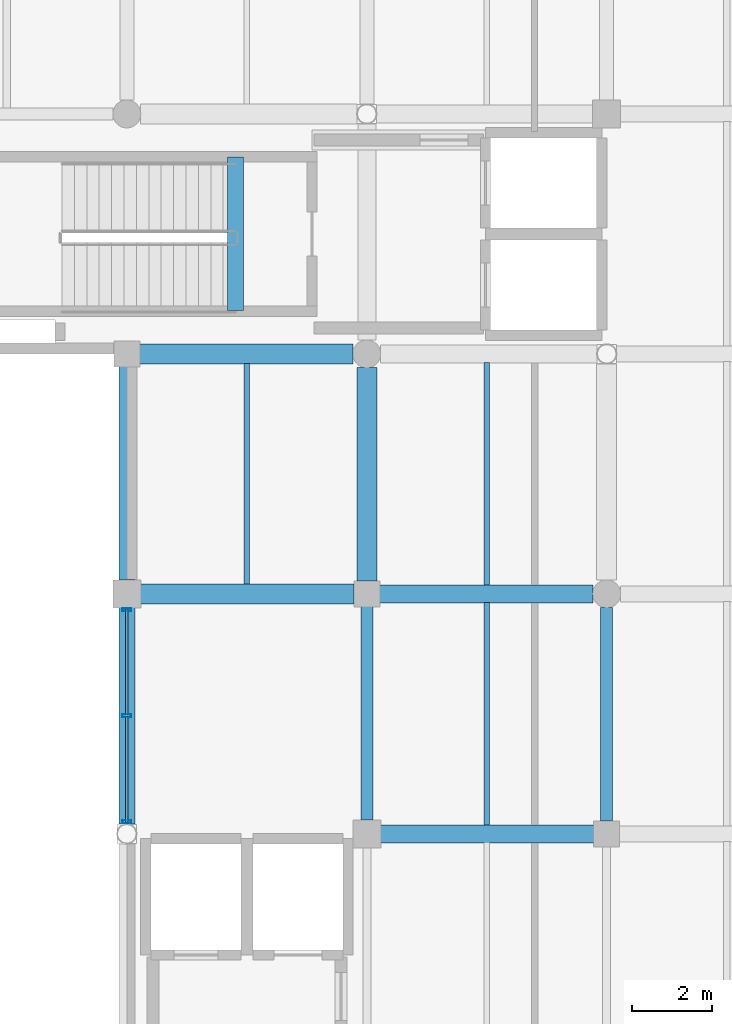
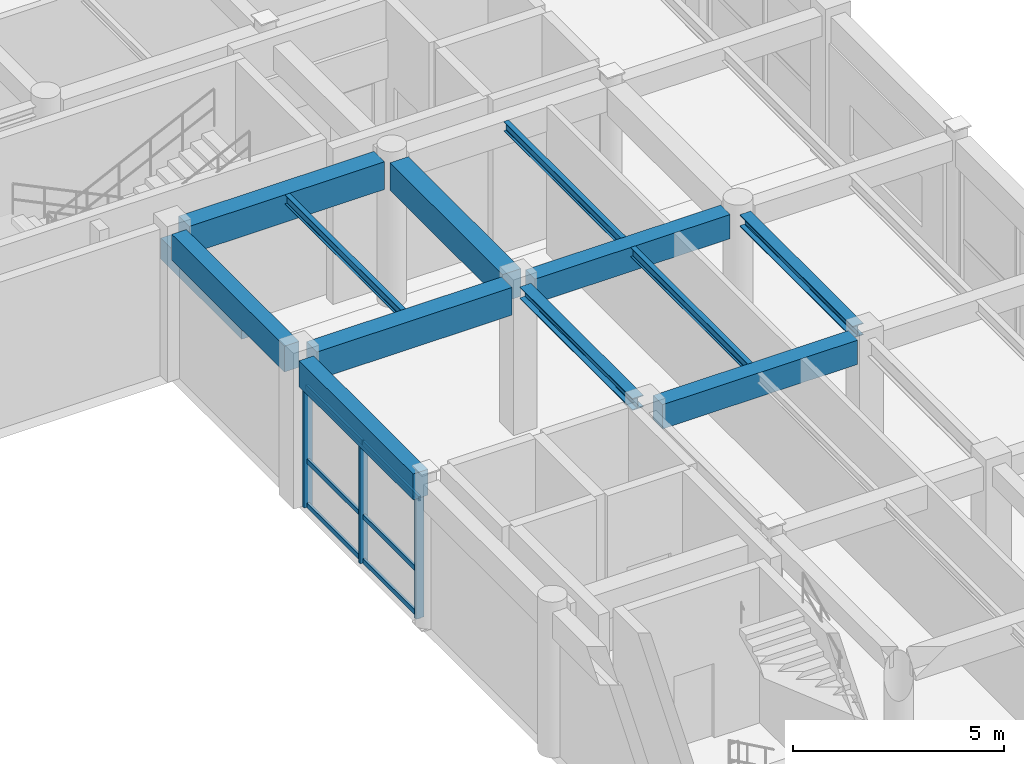
# One storey, part 71 of 116: 13 beams, 9 members, 1 element without a shape of its own.
"""IFC4 building model written with IfcOpenShell, lengths in metres."""

from ifc_helpers import new_model, si_unit, direction, frame, origin, origin_2d, place, context, subcontext, project, spatial, rectangle, hollow_rectangle, i_section, extrude, material, material_profile, profile_set, type_object, element, aggregate, save


model = new_model("IFC4")

# Units and contexts
model_context = context("Model", 3, precision=1e-05, world=origin(), true_north=direction((0.0, 1.0)))
body_context = subcontext(model_context, "Body", "Model", "MODEL_VIEW")
ifc_project = project(units=[si_unit("LENGTHUNIT", "METRE"), si_unit("AREAUNIT", "SQUARE_METRE"), si_unit("VOLUMEUNIT", "CUBIC_METRE"), si_unit("PLANEANGLEUNIT", "RADIAN"), si_unit("MASSUNIT", "GRAM", prefix="KILO"), si_unit("THERMODYNAMICTEMPERATUREUNIT", "KELVIN"), si_unit("POWERUNIT", "WATT")], contexts=[model_context])

# Site, building, storey
site_placement = place(None, origin())
site = spatial("IfcSite", under=ifc_project, at=site_placement, CompositionType="ELEMENT")
building_placement = place(site_placement, origin())
building = spatial("IfcBuilding", under=site, at=building_placement, Name="Phaisarnlok Congress Hotel", CompositionType="ELEMENT")
storey_placement = place(building_placement, frame((0.0, 0.0, 10.5)))
storey = spatial("IfcBuildingStorey", under=building, at=storey_placement, Name="L02", CompositionType="ELEMENT", Elevation=10.5)

# Beams
ifc_material_1 = material(Name="Concrete C40/50", Category="concrete")
ifc_material_profile_1 = material_profile(ifc_material_1, rectangle(XDim=0.39990234375, YDim=0.60009765625, at=origin_2d()), Name="RC 400x600")
ifc_profile_set_1 = profile_set([ifc_material_profile_1], Name="Concrete C40/50")
beam_type_1 = type_object("IfcBeamType", Name="BM-RC-400x600", PredefinedType="BEAM", material=ifc_profile_set_1)
beam_1_placement = place(storey_placement, frame((164.719970703125, 109.080078125, -0.300048828125), z_axis=(0.0, 1.0, 0.0), x_axis=(-1.0, 0.0, 0.0)))
element("IfcBeam", 1, at=beam_1_placement, inside=storey, type_object=beam_type_1, Name="Stair landing header beam B-02 (CORE-1 L02)", PredefinedType="BEAM", context=body_context, shape_type="SweptSolid", body=[
    extrude(rectangle(XDim=0.39990234375, YDim=0.60009765625, at=origin_2d()), origin(), (0.0, 0.0, 1.0), 3.83984375),
])
ifc_material_profile_2 = material_profile(ifc_material_1, rectangle(XDim=0.449951171875, YDim=0.699951171875, at=origin_2d()), Name="RC 450x700")
ifc_profile_set_2 = profile_set([ifc_material_profile_2], Name="Concrete C40/50")
beam_type_2 = type_object("IfcBeamType", Name="BM-RC-450x700", PredefinedType="BEAM", material=ifc_profile_set_2)
for number, where, z_axis, x_axis, name in (
    (2, (168.344970703125, 96.0, 3.889892578125), (1.0, 0.0, 0.0), (0.0, 1.0, 0.0), "Beam B-03"),
    (3, (168.320068359375, 102.0, 3.889892578125), (1.0, 0.0, 0.0), (0.0, 1.0, 0.0), "Beam B-03"),
):
    element("IfcBeam", number, at=place(storey_placement, frame(where, z_axis=z_axis, x_axis=x_axis)), inside=storey, type_object=beam_type_2, Name=name, PredefinedType="BEAM", context=body_context, shape_type="SweptSolid", body=[
        extrude(rectangle(XDim=0.449951171875, YDim=0.699951171875, at=origin_2d()), origin(), (0.0, 0.0, 1.0), 5.3349609375),
    ])
ifc_material_profile_3 = material_profile(ifc_material_1, rectangle(XDim=0.5, YDim=0.800048828125, at=origin_2d()), Name="RC 500x800")
ifc_profile_set_3 = profile_set([ifc_material_profile_3], Name="Concrete C40/50")
beam_type_3 = type_object("IfcBeamType", Name="BM-RC-500x800", PredefinedType="BEAM", material=ifc_profile_set_3)
for number, where, z_axis, x_axis, name in (
    (4, (162.344970703125, 102.0, 3.840087890625), (1.0, 0.0, 0.0), (0.0, 1.0, 0.0), "Beam B-04"),
    (5, (162.320068359375, 108.0, 3.840087890625), (1.0, 0.0, 0.0), (0.0, 1.0, 0.0), "Beam B-04"),
    (6, (168.0, 102.320068359375, 3.840087890625), (0.0, 1.0, 0.0), (-1.0, 0.0, 0.0), "Beam B-04"),
):
    element("IfcBeam", number, at=place(storey_placement, frame(where, z_axis=z_axis, x_axis=x_axis)), inside=storey, type_object=beam_type_3, Name=name, PredefinedType="BEAM", context=body_context, shape_type="SweptSolid", body=[
        extrude(rectangle(XDim=0.5, YDim=0.800048828125, at=origin_2d()), origin(), (0.0, 0.0, 1.0), 5.3349609375),
    ])
ifc_material_2 = material(Name="Steel S355", Category="steel")
ifc_material_profile_4 = material_profile(ifc_material_2, i_section(OverallWidth=0.300048828125, OverallDepth=0.340087890625, WebThickness=0.011962890625, FlangeThickness=0.021484375, FilletRadius=0.027099609375, at=origin_2d()), Name="HEB 340")
ifc_profile_set_4 = profile_set([ifc_material_profile_4], Name="Steel S355")
beam_type_4 = type_object("IfcBeamType", Name="BM-STL-HEB340", PredefinedType="BEAM", material=ifc_profile_set_4)
for number, where, z_axis, x_axis, name in (
    (7, (168.0, 96.344970703125, 4.070068359375), (0.0, 1.0, 0.0), (-1.0, 0.0, 0.0), "Beam SB-07"),
    (8, (174.0, 96.320068359375, 4.070068359375), (0.0, 1.0, 0.0), (-1.0, 0.0, 0.0), "Beam SB-07"),
):
    element("IfcBeam", number, at=place(storey_placement, frame(where, z_axis=z_axis, x_axis=x_axis)), inside=storey, type_object=beam_type_4, Name=name, PredefinedType="BEAM", context=body_context, shape_type="SweptSolid", body=[
        extrude(i_section(OverallWidth=0.300048828125, OverallDepth=0.340087890625, WebThickness=0.011962890625, FlangeThickness=0.021484375, FilletRadius=0.027099609375, at=origin_2d()), origin(), (0.0, 0.0, 1.0), 5.3349609375),
    ])

# Curtain wall, members
ifc_material_3 = material(Name="Thermally Broken Unitised Aluminium & Low-E Glazing", Category="aluminium")
curtain_wall_type = type_object("IfcCurtainWallType", Name="CW-UNIT-17", PredefinedType="NOTDEFINED", material=ifc_material_3)
curtain_wall_placement = place(storey_placement, origin())
curtain_wall = element("IfcCurtainWall", 9, at=curtain_wall_placement, inside=storey, type_object=curtain_wall_type, Name="Unitised curtain wall CW-17 (L02)", PredefinedType="NOTDEFINED")
ifc_material_4 = material(Name="Anodised Aluminium Alloy 6063-T6", Category="aluminium")
ifc_material_profile_5 = material_profile(ifc_material_4, hollow_rectangle(XDim=0.074951171875, YDim=0.219970703125, WallThickness=0.0048828125, at=origin_2d()), Name="ALU-M 75x220x5")
ifc_profile_set_5 = profile_set([ifc_material_profile_5], Name="Anodised Aluminium Alloy 6063-T6")
member_type_1 = type_object("IfcMemberType", Name="CWM-220", PredefinedType="MULLION", material=ifc_profile_set_5)
member_1_placement = place(storey_placement, frame((162.0, 101.60009765625, 0.0), z_axis=(0.0, 0.0, 1.0), x_axis=(0.0, -1.0, 0.0)))
member_1 = element("IfcMember", 10, at=member_1_placement, type_object=member_type_1, Name="Curtain wall mullion CWM-02", PredefinedType="MULLION", context=body_context, shape_type="SweptSolid", body=[
    extrude(hollow_rectangle(XDim=0.074951171875, YDim=0.219970703125, WallThickness=0.0048828125, at=origin_2d()), origin(), (0.0, 0.0, 1.0), 3.489990234375),
])
member_2_placement = place(storey_placement, frame((162.0, 98.951904296875, 0.0), z_axis=(0.0, 0.0, 1.0), x_axis=(0.0, -1.0, 0.0)))
member_2 = element("IfcMember", 11, at=member_2_placement, type_object=member_type_1, Name="Curtain wall mullion CWM-02", PredefinedType="MULLION", context=body_context, shape_type="SweptSolid", body=[
    extrude(hollow_rectangle(XDim=0.074951171875, YDim=0.219970703125, WallThickness=0.0048828125, at=origin_2d()), origin(), (0.0, 0.0, 1.0), 3.489990234375),
])
member_3_placement = place(storey_placement, frame((162.0, 96.303955078125, 0.0), z_axis=(0.0, 0.0, 1.0), x_axis=(0.0, -1.0, 0.0)))
member_3 = element("IfcMember", 12, at=member_3_placement, type_object=member_type_1, Name="Curtain wall mullion CWM-02", PredefinedType="MULLION", context=body_context, shape_type="SweptSolid", body=[
    extrude(hollow_rectangle(XDim=0.074951171875, YDim=0.219970703125, WallThickness=0.0048828125, at=origin_2d()), origin(), (0.0, 0.0, 1.0), 3.489990234375),
])
ifc_material_profile_6 = material_profile(ifc_material_4, hollow_rectangle(XDim=0.06494140625, YDim=0.139892578125, WallThickness=0.00390625, at=origin_2d()), Name="ALU-T 65x140x4")
ifc_profile_set_6 = profile_set([ifc_material_profile_6], Name="Anodised Aluminium Alloy 6063-T6")
member_type_2 = type_object("IfcMemberType", Name="CWT-150", PredefinedType="USERDEFINED", material=ifc_profile_set_6)
member_4_placement = place(storey_placement, frame((162.0, 101.625, 0.050048828125), z_axis=(0.0, -1.0, 0.0), x_axis=(1.0, 0.0, 0.0)))
member_4 = element("IfcMember", 13, at=member_4_placement, type_object=member_type_2, Name="Curtain wall transom CWT-01", ObjectType="TRANSOM", PredefinedType="USERDEFINED", context=body_context, shape_type="SweptSolid", body=[
    extrude(hollow_rectangle(XDim=0.06494140625, YDim=0.139892578125, WallThickness=0.00390625, at=origin_2d()), origin(), (0.0, 0.0, 1.0), 2.657958984375),
])
member_5_placement = place(storey_placement, frame((162.0, 101.625, 1.326171875), z_axis=(0.0, -1.0, 0.0), x_axis=(1.0, 0.0, 0.0)))
member_5 = element("IfcMember", 14, at=member_5_placement, type_object=member_type_2, Name="Curtain wall transom CWT-01", ObjectType="TRANSOM", PredefinedType="USERDEFINED", context=body_context, shape_type="SweptSolid", body=[
    extrude(hollow_rectangle(XDim=0.06494140625, YDim=0.139892578125, WallThickness=0.00390625, at=origin_2d()), origin(), (0.0, 0.0, 1.0), 2.657958984375),
])
member_6_placement = place(storey_placement, frame((162.0, 101.625, 3.43994140625), z_axis=(0.0, -1.0, 0.0), x_axis=(1.0, 0.0, 0.0)))
member_6 = element("IfcMember", 15, at=member_6_placement, type_object=member_type_2, Name="Curtain wall transom CWT-01", ObjectType="TRANSOM", PredefinedType="USERDEFINED", context=body_context, shape_type="SweptSolid", body=[
    extrude(hollow_rectangle(XDim=0.06494140625, YDim=0.139892578125, WallThickness=0.00390625, at=origin_2d()), origin(), (0.0, 0.0, 1.0), 2.657958984375),
])
member_7_placement = place(storey_placement, frame((162.0, 98.93701171875, 0.050048828125), z_axis=(0.0, -1.0, 0.0), x_axis=(1.0, 0.0, 0.0)))
member_7 = element("IfcMember", 16, at=member_7_placement, type_object=member_type_2, Name="Curtain wall transom CWT-01", ObjectType="TRANSOM", PredefinedType="USERDEFINED", context=body_context, shape_type="SweptSolid", body=[
    extrude(hollow_rectangle(XDim=0.06494140625, YDim=0.139892578125, WallThickness=0.00390625, at=origin_2d()), origin(), (0.0, 0.0, 1.0), 2.657958984375),
])
member_8_placement = place(storey_placement, frame((162.0, 98.93701171875, 1.326171875), z_axis=(0.0, -1.0, 0.0), x_axis=(1.0, 0.0, 0.0)))
member_8 = element("IfcMember", 17, at=member_8_placement, type_object=member_type_2, Name="Curtain wall transom CWT-01", ObjectType="TRANSOM", PredefinedType="USERDEFINED", context=body_context, shape_type="SweptSolid", body=[
    extrude(hollow_rectangle(XDim=0.06494140625, YDim=0.139892578125, WallThickness=0.00390625, at=origin_2d()), origin(), (0.0, 0.0, 1.0), 2.657958984375),
])
member_9_placement = place(storey_placement, frame((162.0, 98.93701171875, 3.43994140625), z_axis=(0.0, -1.0, 0.0), x_axis=(1.0, 0.0, 0.0)))
member_9 = element("IfcMember", 18, at=member_9_placement, type_object=member_type_2, Name="Curtain wall transom CWT-01", ObjectType="TRANSOM", PredefinedType="USERDEFINED", context=body_context, shape_type="SweptSolid", body=[
    extrude(hollow_rectangle(XDim=0.06494140625, YDim=0.139892578125, WallThickness=0.00390625, at=origin_2d()), origin(), (0.0, 0.0, 1.0), 2.657958984375),
])
aggregate(curtain_wall, [member_1, member_2, member_3, member_4, member_5, member_6, member_7, member_8, member_9])

# Beams
ifc_material_profile_7 = material_profile(ifc_material_2, i_section(OverallWidth=0.135009765625, OverallDepth=0.27001953125, WebThickness=0.006591796875, FlangeThickness=0.01025390625, FilletRadius=0.014892578125, at=origin_2d()), Name="IPE 270")
ifc_profile_set_7 = profile_set([ifc_material_profile_7], Name="Steel S355")
beam_type_5 = type_object("IfcBeamType", Name="JS-STL-IPE270", PredefinedType="JOIST", material=ifc_profile_set_7)
beam_2_placement = place(storey_placement, frame((165.0, 102.2451171875, 4.10498046875), z_axis=(0.0, 1.0, 0.0), x_axis=(-1.0, 0.0, 0.0)))
element("IfcBeam", 19, at=beam_2_placement, inside=storey, type_object=beam_type_5, Name="Secondary floor joist J-02", PredefinedType="JOIST", context=body_context, shape_type="SweptSolid", body=[
    extrude(i_section(OverallWidth=0.135009765625, OverallDepth=0.27001953125, WebThickness=0.006591796875, FlangeThickness=0.01025390625, FilletRadius=0.014892578125, at=origin_2d()), origin(), (0.0, 0.0, 1.0), 5.509765625),
])
for number, where, z_axis, x_axis, name in (
    (20, (171.0, 96.219970703125, 4.10498046875), (0.0, 1.0, 0.0), (-1.0, 0.0, 0.0), "Secondary floor joist J-02"),
    (21, (171.0, 102.219970703125, 4.10498046875), (0.0, 1.0, 0.0), (-1.0, 0.0, 0.0), "Secondary floor joist J-02"),
):
    element("IfcBeam", number, at=place(storey_placement, frame(where, z_axis=z_axis, x_axis=x_axis)), inside=storey, type_object=beam_type_5, Name=name, PredefinedType="JOIST", context=body_context, shape_type="SweptSolid", body=[
        extrude(i_section(OverallWidth=0.135009765625, OverallDepth=0.27001953125, WebThickness=0.006591796875, FlangeThickness=0.01025390625, FilletRadius=0.014892578125, at=origin_2d()), origin(), (0.0, 0.0, 1.0), 5.56005859375),
    ])
ifc_material_profile_8 = material_profile(ifc_material_1, rectangle(XDim=0.39990234375, YDim=0.75, at=origin_2d()), Name="RC 400x750")
ifc_profile_set_8 = profile_set([ifc_material_profile_8], Name="Concrete C40/50")
beam_type_6 = type_object("IfcBeamType", Name="SP-RC-400x750", PredefinedType="SPANDREL", material=ifc_profile_set_8)
beam_3_placement = place(storey_placement, frame((162.0, 96.2490234375, 3.864990234375), z_axis=(0.0, 1.0, 0.0), x_axis=(-1.0, 0.0, 0.0)))
element("IfcBeam", 22, at=beam_3_placement, inside=storey, type_object=beam_type_6, Name="Beam SP-02", PredefinedType="SPANDREL", context=body_context, shape_type="SweptSolid", body=[
    extrude(rectangle(XDim=0.39990234375, YDim=0.75, at=origin_2d()), origin(), (0.0, 0.0, 1.0), 5.406005859375),
])
beam_4_placement = place(storey_placement, frame((162.0, 102.344970703125, 3.864990234375), z_axis=(0.0, 1.0, 0.0), x_axis=(-1.0, 0.0, 0.0)))
element("IfcBeam", 23, at=beam_4_placement, inside=storey, type_object=beam_type_6, Name="Beam SP-02", PredefinedType="SPANDREL", context=body_context, shape_type="SweptSolid", body=[
    extrude(rectangle(XDim=0.39990234375, YDim=0.75, at=origin_2d()), origin(), (0.0, 0.0, 1.0), 5.3349609375),
])

save(model, "model.ifc")
